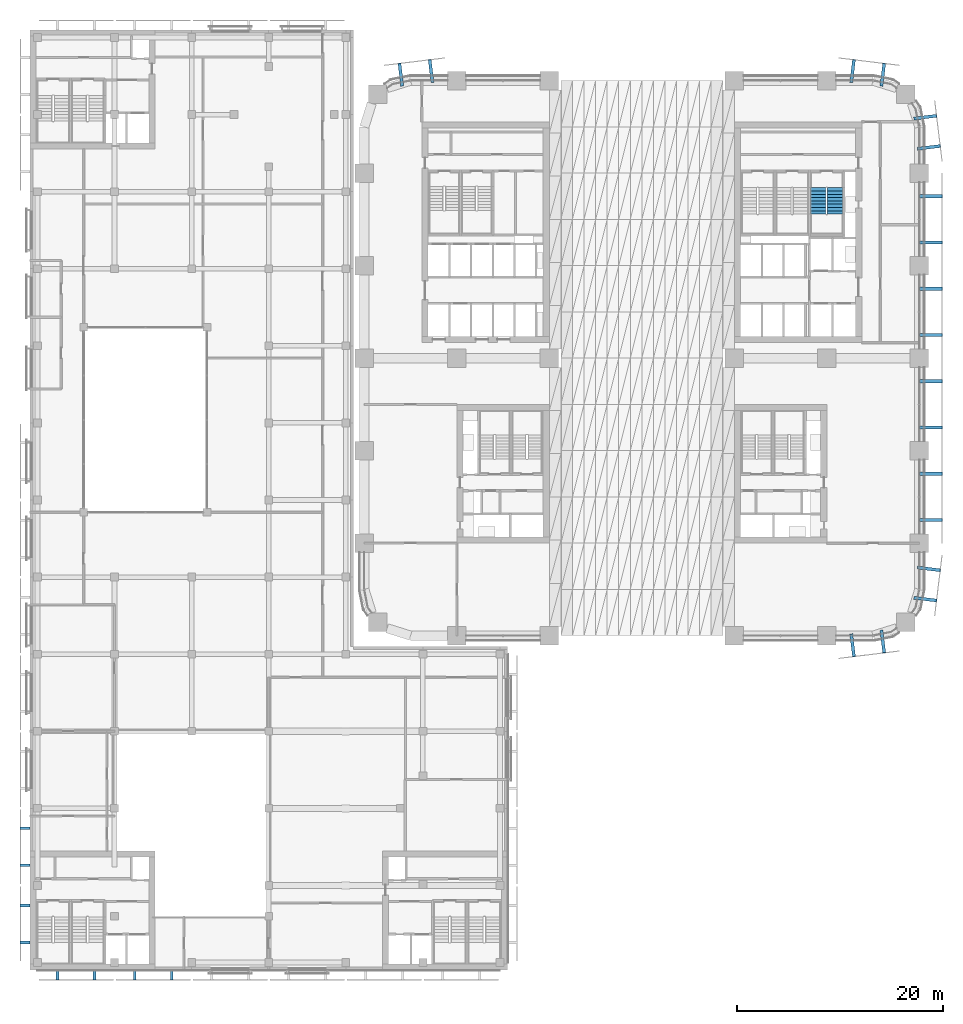
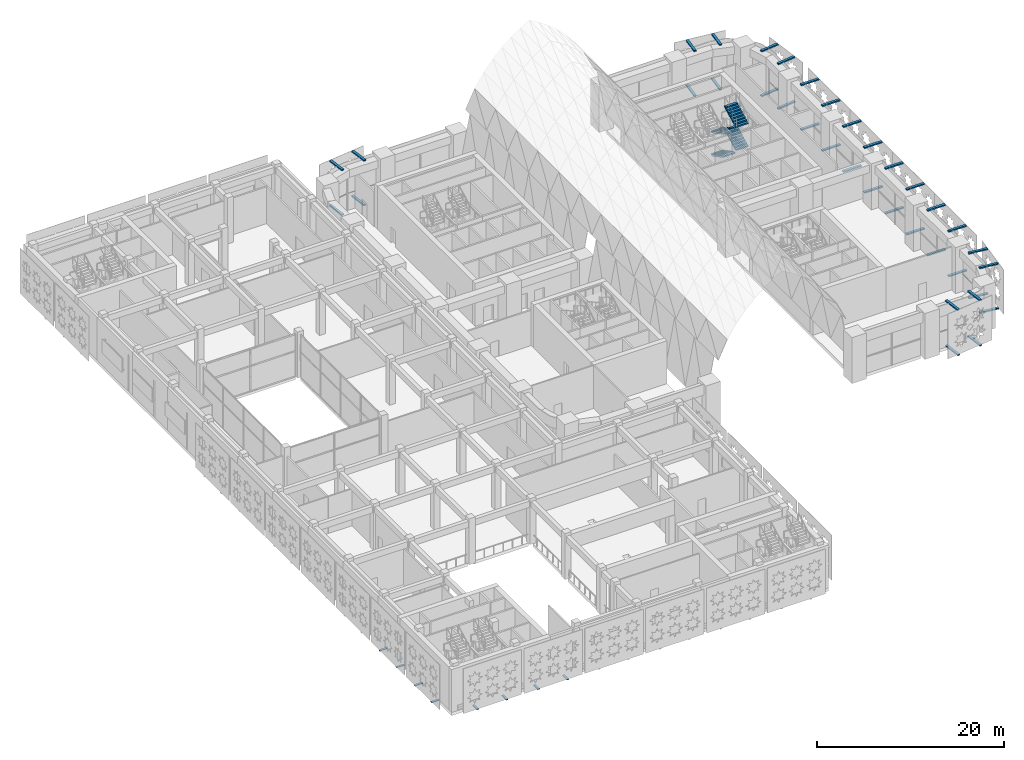
# One storey, part 25 of 46: 44 discrete accessories, 4 stair flights, 1 element without a shape of its own.
"""IFC4 building model written with IfcOpenShell, lengths in metres."""

from ifc_helpers import new_model, si_unit, direction, frame, origin, origin_2d, place, context, subcontext, project, spatial, polyline, rectangle, outline, extrude, material, type_object, element, aggregate, save


model = new_model("IFC4")

# Units and contexts
model_context = context("Model", 3, precision=1e-05, world=origin(), true_north=direction((0.0, 1.0)))
body_context = subcontext(model_context, "Body", "Model", "MODEL_VIEW")
ifc_project = project(units=[si_unit("LENGTHUNIT", "METRE"), si_unit("AREAUNIT", "SQUARE_METRE"), si_unit("VOLUMEUNIT", "CUBIC_METRE"), si_unit("PLANEANGLEUNIT", "RADIAN"), si_unit("MASSUNIT", "GRAM", prefix="KILO")], contexts=[model_context])

# Site, building, storey
site_placement = place(None, origin())
site = spatial("IfcSite", under=ifc_project, at=site_placement, CompositionType="ELEMENT")
building_placement = place(site_placement, origin())
building = spatial("IfcBuilding", under=site, at=building_placement, Name="Tessera Arch", CompositionType="ELEMENT")
storey_placement = place(building_placement, frame((0.0, 0.0, 8.0)))
storey = spatial("IfcBuildingStorey", under=building, at=storey_placement, Name="L01", CompositionType="ELEMENT", Elevation=8.0)

# Stair, stair flights
ifc_material_1 = material(Name="Concrete C40/50", Category="concrete")
stair_type = type_object("IfcStairType", Name="Dogleg stair 1520", PredefinedType="HALF_TURN_STAIR", material=ifc_material_1)
stair_placement = place(storey_placement, origin())
stair = element("IfcStair", 1, at=stair_placement, inside=storey, type_object=stair_type, Name="L01 S1c", PredefinedType="HALF_TURN_STAIR")
ifc_material_2 = material(Name="Concrete C40/50", Category="concrete")
stair_flight_type = type_object("IfcStairFlightType", Name="Stair flight 1520", PredefinedType="STRAIGHT", material=ifc_material_2)
stair_flight_1_placement = place(storey_placement, frame((44.159912109375, 43.580078125, 0.0), z_axis=(0.0, 0.0, 1.0), x_axis=(0.0, -1.0, 0.0)))
stair_flight_1 = element("IfcStairFlight", 2, at=stair_flight_1_placement, type_object=stair_flight_type, Name="S1c flight 1", NumberOfRisers=9, NumberOfTreads=8, PredefinedType="STRAIGHT", RiserHeight=0.166666667, TreadLength=0.32, context=body_context, shape_type="SweptSolid", body=[
    extrude(outline(polyline([(0.0, 0.0), (0.0, 0.166748046875), (0.320068359375, 0.166748046875), (0.320068359375, 0.333251953125), (0.639892578125, 0.333251953125), (0.639892578125, 0.5), (0.9599609375, 0.5), (0.9599609375, 0.666748046875), (1.280029296875, 0.666748046875), (1.280029296875, 0.833251953125), (1.60009765625, 0.833251953125), (1.60009765625, 1.0), (1.919921875, 1.0), (1.919921875, 1.166748046875), (2.239990234375, 1.166748046875), (2.239990234375, 1.333251953125), (2.56005859375, 1.333251953125), (2.56005859375, 1.5), (2.56005859375, 1.164306640625), (0.324462890625, 0.0), (0.0, 0.0)])), frame((0.0, 0.760009765625, 0.0), z_axis=(0.0, -1.0, 0.0), x_axis=(1.0, 0.0, 0.0)), (0.0, 0.0, 1.0), 1.52001953125),
])
stair_flight_2_placement = place(storey_placement, frame((45.7900390625, 41.02001953125, 1.5), z_axis=(0.0, 0.0, 1.0), x_axis=(0.0, 1.0, 0.0)))
stair_flight_2 = element("IfcStairFlight", 3, at=stair_flight_2_placement, type_object=stair_flight_type, Name="S1c flight 2", NumberOfRisers=9, NumberOfTreads=8, PredefinedType="STRAIGHT", RiserHeight=0.166666667, TreadLength=0.32, context=body_context, shape_type="SweptSolid", body=[
    extrude(outline(polyline([(0.0, 0.0), (0.0, 0.166748046875), (0.320068359375, 0.166748046875), (0.320068359375, 0.333251953125), (0.639892578125, 0.333251953125), (0.639892578125, 0.5), (0.9599609375, 0.5), (0.9599609375, 0.666748046875), (1.280029296875, 0.666748046875), (1.280029296875, 0.833251953125), (1.60009765625, 0.833251953125), (1.60009765625, 1.0), (1.919921875, 1.0), (1.919921875, 1.166748046875), (2.239990234375, 1.166748046875), (2.239990234375, 1.333251953125), (2.56005859375, 1.333251953125), (2.56005859375, 1.5), (2.56005859375, 1.164306640625), (0.324462890625, 0.0), (0.0, 0.0)])), frame((0.0, 0.760009765625, 0.0), z_axis=(0.0, -1.0, 0.0), x_axis=(1.0, 0.0, 0.0)), (0.0, 0.0, 1.0), 1.52001953125),
])
stair_flight_3_placement = place(storey_placement, frame((44.159912109375, 43.580078125, 3.0), z_axis=(0.0, 0.0, 1.0), x_axis=(0.0, -1.0, 0.0)))
stair_flight_3 = element("IfcStairFlight", 4, at=stair_flight_3_placement, type_object=stair_flight_type, Name="S1c flight 3", NumberOfRisers=9, NumberOfTreads=8, PredefinedType="STRAIGHT", RiserHeight=0.166666667, TreadLength=0.32, context=body_context, shape_type="SweptSolid", body=[
    extrude(outline(polyline([(0.0, 0.0), (0.0, 0.166748046875), (0.320068359375, 0.166748046875), (0.320068359375, 0.333251953125), (0.639892578125, 0.333251953125), (0.639892578125, 0.5), (0.9599609375, 0.5), (0.9599609375, 0.666748046875), (1.280029296875, 0.666748046875), (1.280029296875, 0.833251953125), (1.60009765625, 0.833251953125), (1.60009765625, 1.0), (1.919921875, 1.0), (1.919921875, 1.166748046875), (2.239990234375, 1.166748046875), (2.239990234375, 1.333251953125), (2.56005859375, 1.333251953125), (2.56005859375, 1.5), (2.56005859375, 1.164306640625), (0.324462890625, 0.0), (0.0, 0.0)])), frame((0.0, 0.760009765625, 0.0), z_axis=(0.0, -1.0, 0.0), x_axis=(1.0, 0.0, 0.0)), (0.0, 0.0, 1.0), 1.52001953125),
])
stair_flight_4_placement = place(storey_placement, frame((45.7900390625, 41.02001953125, 4.5), z_axis=(0.0, 0.0, 1.0), x_axis=(0.0, 1.0, 0.0)))
stair_flight_4 = element("IfcStairFlight", 5, at=stair_flight_4_placement, type_object=stair_flight_type, Name="S1c flight 4", NumberOfRisers=9, NumberOfTreads=8, PredefinedType="STRAIGHT", RiserHeight=0.166666667, TreadLength=0.32, context=body_context, shape_type="SweptSolid", body=[
    extrude(outline(polyline([(0.0, 0.0), (0.0, 0.166748046875), (0.320068359375, 0.166748046875), (0.320068359375, 0.333251953125), (0.639892578125, 0.333251953125), (0.639892578125, 0.5), (0.9599609375, 0.5), (0.9599609375, 0.666748046875), (1.280029296875, 0.666748046875), (1.280029296875, 0.833251953125), (1.60009765625, 0.833251953125), (1.60009765625, 1.0), (1.919921875, 1.0), (1.919921875, 1.166748046875), (2.239990234375, 1.166748046875), (2.239990234375, 1.333251953125), (2.56005859375, 1.333251953125), (2.56005859375, 1.5), (2.56005859375, 1.164306640625), (0.324462890625, 0.0), (0.0, 0.0)])), frame((0.0, 0.760009765625, 0.0), z_axis=(0.0, -1.0, 0.0), x_axis=(1.0, 0.0, 0.0)), (0.0, 0.0, 1.0), 1.52001953125),
])
aggregate(stair, [stair_flight_1, stair_flight_2, stair_flight_3, stair_flight_4])

# Discrete accessories
discrete_accessory_1_placement = place(storey_placement, frame((6.493408203125, 54.9375, 0.0), z_axis=(0.0, 0.0, 1.0), x_axis=(-0.120951161885, 0.992658459108, 0.0)))
element("IfcDiscreteAccessory", 6, at=discrete_accessory_1_placement, inside=storey, Name="Screen panel bracket", PredefinedType="BRACKET", context=body_context, shape_type="SweptSolid", body=[
    extrude(rectangle(XDim=2.25, YDim=0.300048828125, at=origin_2d()), origin(), (0.0, 0.0, 1.0), 0.159912109375),
])
discrete_accessory_2_placement = place(storey_placement, frame((6.49658203125, 54.91259765625, 5.83984375), z_axis=(0.0, 0.0, 1.0), x_axis=(-0.120951161885, 0.992658459108, 0.0)))
element("IfcDiscreteAccessory", 7, at=discrete_accessory_2_placement, inside=storey, Name="Screen panel bracket", PredefinedType="BRACKET", context=body_context, shape_type="SweptSolid", body=[
    extrude(rectangle(XDim=2.199951171875, YDim=0.300048828125, at=origin_2d()), origin(), (0.0, 0.0, 1.0), 0.159912109375),
])
discrete_accessory_3_placement = place(storey_placement, frame((3.552490234375, 54.5791015625, 0.0), z_axis=(0.0, 0.0, 1.0), x_axis=(-0.120951161885, 0.992658459108, 0.0)))
element("IfcDiscreteAccessory", 8, at=discrete_accessory_3_placement, inside=storey, Name="Screen panel bracket", PredefinedType="BRACKET", context=body_context, shape_type="SweptSolid", body=[
    extrude(rectangle(XDim=2.25, YDim=0.300048828125, at=origin_2d()), origin(), (0.0, 0.0, 1.0), 0.159912109375),
])
discrete_accessory_4_placement = place(storey_placement, frame((3.555419921875, 54.554443359375, 5.83984375), z_axis=(0.0, 0.0, 1.0), x_axis=(-0.120951161885, 0.992658459108, 0.0)))
element("IfcDiscreteAccessory", 9, at=discrete_accessory_4_placement, inside=storey, Name="Screen panel bracket", PredefinedType="BRACKET", context=body_context, shape_type="SweptSolid", body=[
    extrude(rectangle(XDim=2.199951171875, YDim=0.300048828125, at=origin_2d()), origin(), (0.0, 0.0, 1.0), 0.159912109375),
])
discrete_accessory_5_placement = place(storey_placement, frame((55.125, 11.25, 0.0), z_axis=(0.0, 0.0, 1.0), x_axis=(1.0, 0.0, 0.0)))
element("IfcDiscreteAccessory", 10, at=discrete_accessory_5_placement, inside=storey, Name="Screen panel bracket", PredefinedType="BRACKET", context=body_context, shape_type="SweptSolid", body=[
    extrude(rectangle(XDim=2.25, YDim=0.300048828125, at=origin_2d()), origin(), (0.0, 0.0, 1.0), 0.159912109375),
])
discrete_accessory_6_placement = place(storey_placement, frame((55.10009765625, 11.25, 5.83984375), z_axis=(0.0, 0.0, 1.0), x_axis=(1.0, 0.0, 0.0)))
element("IfcDiscreteAccessory", 11, at=discrete_accessory_6_placement, inside=storey, Name="Screen panel bracket", PredefinedType="BRACKET", context=body_context, shape_type="SweptSolid", body=[
    extrude(rectangle(XDim=2.199951171875, YDim=0.300048828125, at=origin_2d()), origin(), (0.0, 0.0, 1.0), 0.159912109375),
])
discrete_accessory_7_placement = place(storey_placement, frame((55.125, 15.75, 0.0), z_axis=(0.0, 0.0, 1.0), x_axis=(1.0, 0.0, 0.0)))
element("IfcDiscreteAccessory", 12, at=discrete_accessory_7_placement, inside=storey, Name="Screen panel bracket", PredefinedType="BRACKET", context=body_context, shape_type="SweptSolid", body=[
    extrude(rectangle(XDim=2.25, YDim=0.300048828125, at=origin_2d()), origin(), (0.0, 0.0, 1.0), 0.159912109375),
])
discrete_accessory_8_placement = place(storey_placement, frame((55.10009765625, 15.75, 5.83984375), z_axis=(0.0, 0.0, 1.0), x_axis=(1.0, 0.0, 0.0)))
element("IfcDiscreteAccessory", 13, at=discrete_accessory_8_placement, inside=storey, Name="Screen panel bracket", PredefinedType="BRACKET", context=body_context, shape_type="SweptSolid", body=[
    extrude(rectangle(XDim=2.199951171875, YDim=0.300048828125, at=origin_2d()), origin(), (0.0, 0.0, 1.0), 0.159912109375),
])
discrete_accessory_9_placement = place(storey_placement, frame((55.125, 20.25, 0.0), z_axis=(0.0, 0.0, 1.0), x_axis=(1.0, 0.0, 0.0)))
element("IfcDiscreteAccessory", 14, at=discrete_accessory_9_placement, inside=storey, Name="Screen panel bracket", PredefinedType="BRACKET", context=body_context, shape_type="SweptSolid", body=[
    extrude(rectangle(XDim=2.25, YDim=0.300048828125, at=origin_2d()), origin(), (0.0, 0.0, 1.0), 0.159912109375),
])
discrete_accessory_10_placement = place(storey_placement, frame((55.10009765625, 20.25, 5.83984375), z_axis=(0.0, 0.0, 1.0), x_axis=(1.0, 0.0, 0.0)))
element("IfcDiscreteAccessory", 15, at=discrete_accessory_10_placement, inside=storey, Name="Screen panel bracket", PredefinedType="BRACKET", context=body_context, shape_type="SweptSolid", body=[
    extrude(rectangle(XDim=2.199951171875, YDim=0.300048828125, at=origin_2d()), origin(), (0.0, 0.0, 1.0), 0.159912109375),
])
discrete_accessory_11_placement = place(storey_placement, frame((55.125, 24.75, 0.0), z_axis=(0.0, 0.0, 1.0), x_axis=(1.0, 0.0, 0.0)))
element("IfcDiscreteAccessory", 16, at=discrete_accessory_11_placement, inside=storey, Name="Screen panel bracket", PredefinedType="BRACKET", context=body_context, shape_type="SweptSolid", body=[
    extrude(rectangle(XDim=2.25, YDim=0.300048828125, at=origin_2d()), origin(), (0.0, 0.0, 1.0), 0.159912109375),
])
discrete_accessory_12_placement = place(storey_placement, frame((55.10009765625, 24.75, 5.83984375), z_axis=(0.0, 0.0, 1.0), x_axis=(1.0, 0.0, 0.0)))
element("IfcDiscreteAccessory", 17, at=discrete_accessory_12_placement, inside=storey, Name="Screen panel bracket", PredefinedType="BRACKET", context=body_context, shape_type="SweptSolid", body=[
    extrude(rectangle(XDim=2.199951171875, YDim=0.300048828125, at=origin_2d()), origin(), (0.0, 0.0, 1.0), 0.159912109375),
])
discrete_accessory_13_placement = place(storey_placement, frame((55.125, 29.25, 0.0), z_axis=(0.0, 0.0, 1.0), x_axis=(1.0, 0.0, 0.0)))
element("IfcDiscreteAccessory", 18, at=discrete_accessory_13_placement, inside=storey, Name="Screen panel bracket", PredefinedType="BRACKET", context=body_context, shape_type="SweptSolid", body=[
    extrude(rectangle(XDim=2.25, YDim=0.300048828125, at=origin_2d()), origin(), (0.0, 0.0, 1.0), 0.159912109375),
])
discrete_accessory_14_placement = place(storey_placement, frame((55.10009765625, 29.25, 5.83984375), z_axis=(0.0, 0.0, 1.0), x_axis=(1.0, 0.0, 0.0)))
element("IfcDiscreteAccessory", 19, at=discrete_accessory_14_placement, inside=storey, Name="Screen panel bracket", PredefinedType="BRACKET", context=body_context, shape_type="SweptSolid", body=[
    extrude(rectangle(XDim=2.199951171875, YDim=0.300048828125, at=origin_2d()), origin(), (0.0, 0.0, 1.0), 0.159912109375),
])
discrete_accessory_15_placement = place(storey_placement, frame((55.125, 33.75, 0.0), z_axis=(0.0, 0.0, 1.0), x_axis=(1.0, 0.0, 0.0)))
element("IfcDiscreteAccessory", 20, at=discrete_accessory_15_placement, inside=storey, Name="Screen panel bracket", PredefinedType="BRACKET", context=body_context, shape_type="SweptSolid", body=[
    extrude(rectangle(XDim=2.25, YDim=0.300048828125, at=origin_2d()), origin(), (0.0, 0.0, 1.0), 0.159912109375),
])
discrete_accessory_16_placement = place(storey_placement, frame((55.10009765625, 33.75, 5.83984375), z_axis=(0.0, 0.0, 1.0), x_axis=(1.0, 0.0, 0.0)))
element("IfcDiscreteAccessory", 21, at=discrete_accessory_16_placement, inside=storey, Name="Screen panel bracket", PredefinedType="BRACKET", context=body_context, shape_type="SweptSolid", body=[
    extrude(rectangle(XDim=2.199951171875, YDim=0.300048828125, at=origin_2d()), origin(), (0.0, 0.0, 1.0), 0.159912109375),
])
discrete_accessory_17_placement = place(storey_placement, frame((55.125, 38.25, 0.0), z_axis=(0.0, 0.0, 1.0), x_axis=(1.0, 0.0, 0.0)))
element("IfcDiscreteAccessory", 22, at=discrete_accessory_17_placement, inside=storey, Name="Screen panel bracket", PredefinedType="BRACKET", context=body_context, shape_type="SweptSolid", body=[
    extrude(rectangle(XDim=2.25, YDim=0.300048828125, at=origin_2d()), origin(), (0.0, 0.0, 1.0), 0.159912109375),
])
discrete_accessory_18_placement = place(storey_placement, frame((55.10009765625, 38.25, 5.83984375), z_axis=(0.0, 0.0, 1.0), x_axis=(1.0, 0.0, 0.0)))
element("IfcDiscreteAccessory", 23, at=discrete_accessory_18_placement, inside=storey, Name="Screen panel bracket", PredefinedType="BRACKET", context=body_context, shape_type="SweptSolid", body=[
    extrude(rectangle(XDim=2.199951171875, YDim=0.300048828125, at=origin_2d()), origin(), (0.0, 0.0, 1.0), 0.159912109375),
])
discrete_accessory_19_placement = place(storey_placement, frame((55.125, 42.75, 0.0), z_axis=(0.0, 0.0, 1.0), x_axis=(1.0, 0.0, 0.0)))
element("IfcDiscreteAccessory", 24, at=discrete_accessory_19_placement, inside=storey, Name="Screen panel bracket", PredefinedType="BRACKET", context=body_context, shape_type="SweptSolid", body=[
    extrude(rectangle(XDim=2.25, YDim=0.300048828125, at=origin_2d()), origin(), (0.0, 0.0, 1.0), 0.159912109375),
])
discrete_accessory_20_placement = place(storey_placement, frame((55.10009765625, 42.75, 5.83984375), z_axis=(0.0, 0.0, 1.0), x_axis=(1.0, 0.0, 0.0)))
element("IfcDiscreteAccessory", 25, at=discrete_accessory_20_placement, inside=storey, Name="Screen panel bracket", PredefinedType="BRACKET", context=body_context, shape_type="SweptSolid", body=[
    extrude(rectangle(XDim=2.199951171875, YDim=0.300048828125, at=origin_2d()), origin(), (0.0, 0.0, 1.0), 0.159912109375),
])
discrete_accessory_21_placement = place(storey_placement, frame((54.9375, 47.506591796875, 0.0), z_axis=(0.0, 0.0, 1.0), x_axis=(0.992658459108, 0.120951161885, 0.0)))
element("IfcDiscreteAccessory", 26, at=discrete_accessory_21_placement, inside=storey, Name="Screen panel bracket", PredefinedType="BRACKET", context=body_context, shape_type="SweptSolid", body=[
    extrude(rectangle(XDim=2.25, YDim=0.300048828125, at=origin_2d()), origin(), (0.0, 0.0, 1.0), 0.159912109375),
])
discrete_accessory_22_placement = place(storey_placement, frame((54.91259765625, 47.50341796875, 5.83984375), z_axis=(0.0, 0.0, 1.0), x_axis=(0.992658459108, 0.120951161885, 0.0)))
element("IfcDiscreteAccessory", 27, at=discrete_accessory_22_placement, inside=storey, Name="Screen panel bracket", PredefinedType="BRACKET", context=body_context, shape_type="SweptSolid", body=[
    extrude(rectangle(XDim=2.199951171875, YDim=0.300048828125, at=origin_2d()), origin(), (0.0, 0.0, 1.0), 0.159912109375),
])
discrete_accessory_23_placement = place(storey_placement, frame((54.5791015625, 50.447509765625, 0.0), z_axis=(0.0, 0.0, 1.0), x_axis=(0.992658459108, 0.120951161885, 0.0)))
element("IfcDiscreteAccessory", 28, at=discrete_accessory_23_placement, inside=storey, Name="Screen panel bracket", PredefinedType="BRACKET", context=body_context, shape_type="SweptSolid", body=[
    extrude(rectangle(XDim=2.25, YDim=0.300048828125, at=origin_2d()), origin(), (0.0, 0.0, 1.0), 0.159912109375),
])
discrete_accessory_24_placement = place(storey_placement, frame((54.554443359375, 50.444580078125, 5.83984375), z_axis=(0.0, 0.0, 1.0), x_axis=(0.992658459108, 0.120951161885, 0.0)))
element("IfcDiscreteAccessory", 29, at=discrete_accessory_24_placement, inside=storey, Name="Screen panel bracket", PredefinedType="BRACKET", context=body_context, shape_type="SweptSolid", body=[
    extrude(rectangle(XDim=2.199951171875, YDim=0.300048828125, at=origin_2d()), origin(), (0.0, 0.0, 1.0), 0.159912109375),
])
discrete_accessory_25_placement = place(storey_placement, frame((50.447509765625, 54.5791015625, 0.0), z_axis=(0.0, 0.0, 1.0), x_axis=(0.120951161885, 0.992658459108, 0.0)))
element("IfcDiscreteAccessory", 30, at=discrete_accessory_25_placement, inside=storey, Name="Screen panel bracket", PredefinedType="BRACKET", context=body_context, shape_type="SweptSolid", body=[
    extrude(rectangle(XDim=2.25, YDim=0.300048828125, at=origin_2d()), origin(), (0.0, 0.0, 1.0), 0.159912109375),
])
discrete_accessory_26_placement = place(storey_placement, frame((50.444580078125, 54.554443359375, 5.83984375), z_axis=(0.0, 0.0, 1.0), x_axis=(0.120951161885, 0.992658459108, 0.0)))
element("IfcDiscreteAccessory", 31, at=discrete_accessory_26_placement, inside=storey, Name="Screen panel bracket", PredefinedType="BRACKET", context=body_context, shape_type="SweptSolid", body=[
    extrude(rectangle(XDim=2.199951171875, YDim=0.300048828125, at=origin_2d()), origin(), (0.0, 0.0, 1.0), 0.159912109375),
])
discrete_accessory_27_placement = place(storey_placement, frame((47.506591796875, 54.9375, 0.0), z_axis=(0.0, 0.0, 1.0), x_axis=(0.120951161885, 0.992658459108, 0.0)))
element("IfcDiscreteAccessory", 32, at=discrete_accessory_27_placement, inside=storey, Name="Screen panel bracket", PredefinedType="BRACKET", context=body_context, shape_type="SweptSolid", body=[
    extrude(rectangle(XDim=2.25, YDim=0.300048828125, at=origin_2d()), origin(), (0.0, 0.0, 1.0), 0.159912109375),
])
discrete_accessory_28_placement = place(storey_placement, frame((47.50341796875, 54.91259765625, 5.83984375), z_axis=(0.0, 0.0, 1.0), x_axis=(0.120951161885, 0.992658459108, 0.0)))
element("IfcDiscreteAccessory", 33, at=discrete_accessory_28_placement, inside=storey, Name="Screen panel bracket", PredefinedType="BRACKET", context=body_context, shape_type="SweptSolid", body=[
    extrude(rectangle(XDim=2.199951171875, YDim=0.300048828125, at=origin_2d()), origin(), (0.0, 0.0, 1.0), 0.159912109375),
])
discrete_accessory_29_placement = place(storey_placement, frame((47.506591796875, -0.9375, 0.0), z_axis=(0.0, 0.0, 1.0), x_axis=(0.120951161885, -0.992658459108, 0.0)))
element("IfcDiscreteAccessory", 34, at=discrete_accessory_29_placement, inside=storey, Name="Screen panel bracket", PredefinedType="BRACKET", context=body_context, shape_type="SweptSolid", body=[
    extrude(rectangle(XDim=2.25, YDim=0.300048828125, at=origin_2d()), origin(), (0.0, 0.0, 1.0), 0.159912109375),
])
discrete_accessory_30_placement = place(storey_placement, frame((47.50341796875, -0.91259765625, 5.83984375), z_axis=(0.0, 0.0, 1.0), x_axis=(0.120951161885, -0.992658459108, 0.0)))
element("IfcDiscreteAccessory", 35, at=discrete_accessory_30_placement, inside=storey, Name="Screen panel bracket", PredefinedType="BRACKET", context=body_context, shape_type="SweptSolid", body=[
    extrude(rectangle(XDim=2.199951171875, YDim=0.300048828125, at=origin_2d()), origin(), (0.0, 0.0, 1.0), 0.159912109375),
])
discrete_accessory_31_placement = place(storey_placement, frame((50.447509765625, -0.5791015625, 0.0), z_axis=(0.0, 0.0, 1.0), x_axis=(0.120951161885, -0.992658459108, 0.0)))
element("IfcDiscreteAccessory", 36, at=discrete_accessory_31_placement, inside=storey, Name="Screen panel bracket", PredefinedType="BRACKET", context=body_context, shape_type="SweptSolid", body=[
    extrude(rectangle(XDim=2.25, YDim=0.300048828125, at=origin_2d()), origin(), (0.0, 0.0, 1.0), 0.159912109375),
])
discrete_accessory_32_placement = place(storey_placement, frame((50.444580078125, -0.554443359375, 5.83984375), z_axis=(0.0, 0.0, 1.0), x_axis=(0.120951161885, -0.992658459108, 0.0)))
element("IfcDiscreteAccessory", 37, at=discrete_accessory_32_placement, inside=storey, Name="Screen panel bracket", PredefinedType="BRACKET", context=body_context, shape_type="SweptSolid", body=[
    extrude(rectangle(XDim=2.199951171875, YDim=0.300048828125, at=origin_2d()), origin(), (0.0, 0.0, 1.0), 0.159912109375),
])
discrete_accessory_33_placement = place(storey_placement, frame((54.5791015625, 3.552490234375, 0.0), z_axis=(0.0, 0.0, 1.0), x_axis=(0.992658459108, -0.120951161885, 0.0)))
element("IfcDiscreteAccessory", 38, at=discrete_accessory_33_placement, inside=storey, Name="Screen panel bracket", PredefinedType="BRACKET", context=body_context, shape_type="SweptSolid", body=[
    extrude(rectangle(XDim=2.25, YDim=0.300048828125, at=origin_2d()), origin(), (0.0, 0.0, 1.0), 0.159912109375),
])
discrete_accessory_34_placement = place(storey_placement, frame((54.554443359375, 3.555419921875, 5.83984375), z_axis=(0.0, 0.0, 1.0), x_axis=(0.992658459108, -0.120951161885, 0.0)))
element("IfcDiscreteAccessory", 39, at=discrete_accessory_34_placement, inside=storey, Name="Screen panel bracket", PredefinedType="BRACKET", context=body_context, shape_type="SweptSolid", body=[
    extrude(rectangle(XDim=2.199951171875, YDim=0.300048828125, at=origin_2d()), origin(), (0.0, 0.0, 1.0), 0.159912109375),
])
discrete_accessory_35_placement = place(storey_placement, frame((54.9375, 6.493408203125, 0.0), z_axis=(0.0, 0.0, 1.0), x_axis=(0.992658459108, -0.120951161885, 0.0)))
element("IfcDiscreteAccessory", 40, at=discrete_accessory_35_placement, inside=storey, Name="Screen panel bracket", PredefinedType="BRACKET", context=body_context, shape_type="SweptSolid", body=[
    extrude(rectangle(XDim=2.25, YDim=0.300048828125, at=origin_2d()), origin(), (0.0, 0.0, 1.0), 0.159912109375),
])
discrete_accessory_36_placement = place(storey_placement, frame((54.91259765625, 6.49658203125, 5.83984375), z_axis=(0.0, 0.0, 1.0), x_axis=(0.992658459108, -0.120951161885, 0.0)))
element("IfcDiscreteAccessory", 41, at=discrete_accessory_36_placement, inside=storey, Name="Screen panel bracket", PredefinedType="BRACKET", context=body_context, shape_type="SweptSolid", body=[
    extrude(rectangle(XDim=2.199951171875, YDim=0.300048828125, at=origin_2d()), origin(), (0.0, 0.0, 1.0), 0.159912109375),
])
for number, where, z_axis, x_axis, name in (
    (42, (-29.85009765625, -33.02490234375, 0.0), (0.0, 0.0, 1.0), (0.0, -1.0, 0.0), "Screen panel bracket"),
    (43, (-26.25, -33.02490234375, 0.0), (0.0, 0.0, 1.0), (0.0, -1.0, 0.0), "Screen panel bracket"),
    (44, (-22.35009765625, -33.02490234375, 0.0), (0.0, 0.0, 1.0), (0.0, -1.0, 0.0), "Screen panel bracket"),
    (45, (-18.75, -33.02490234375, 0.0), (0.0, 0.0, 1.0), (0.0, -1.0, 0.0), "Screen panel bracket"),
    (46, (-33.02490234375, -18.75, 0.0), (0.0, 0.0, 1.0), (-1.0, 0.0, 0.0), "Screen panel bracket"),
    (47, (-33.02490234375, -22.35009765625, 0.0), (0.0, 0.0, 1.0), (-1.0, 0.0, 0.0), "Screen panel bracket"),
    (48, (-33.02490234375, -26.25, 0.0), (0.0, 0.0, 1.0), (-1.0, 0.0, 0.0), "Screen panel bracket"),
    (49, (-33.02490234375, -29.85009765625, 0.0), (0.0, 0.0, 1.0), (-1.0, 0.0, 0.0), "Screen panel bracket"),
):
    element("IfcDiscreteAccessory", number, at=place(storey_placement, frame(where, z_axis=z_axis, x_axis=x_axis)), inside=storey, Name=name, PredefinedType="BRACKET", context=body_context, shape_type="SweptSolid", body=[
        extrude(rectangle(XDim=0.949951171875, YDim=0.25, at=origin_2d()), origin(), (0.0, 0.0, 1.0), 0.10009765625),
    ])

save(model, "model.ifc")
